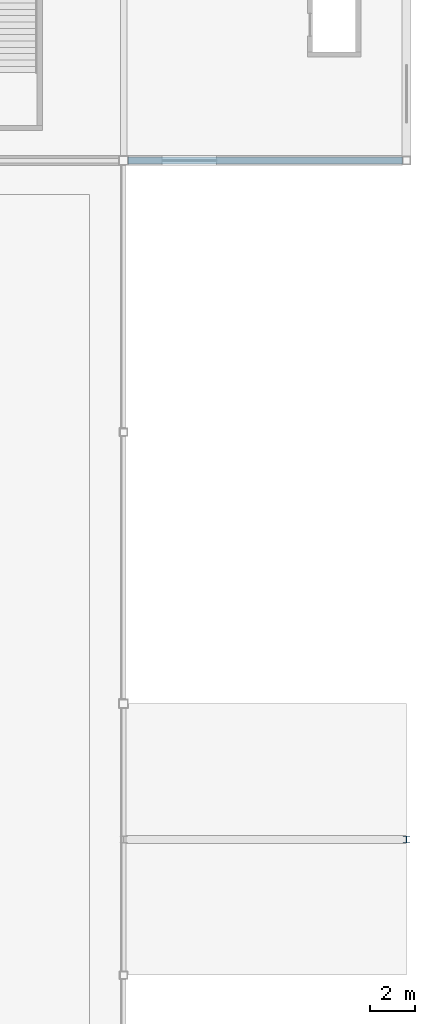
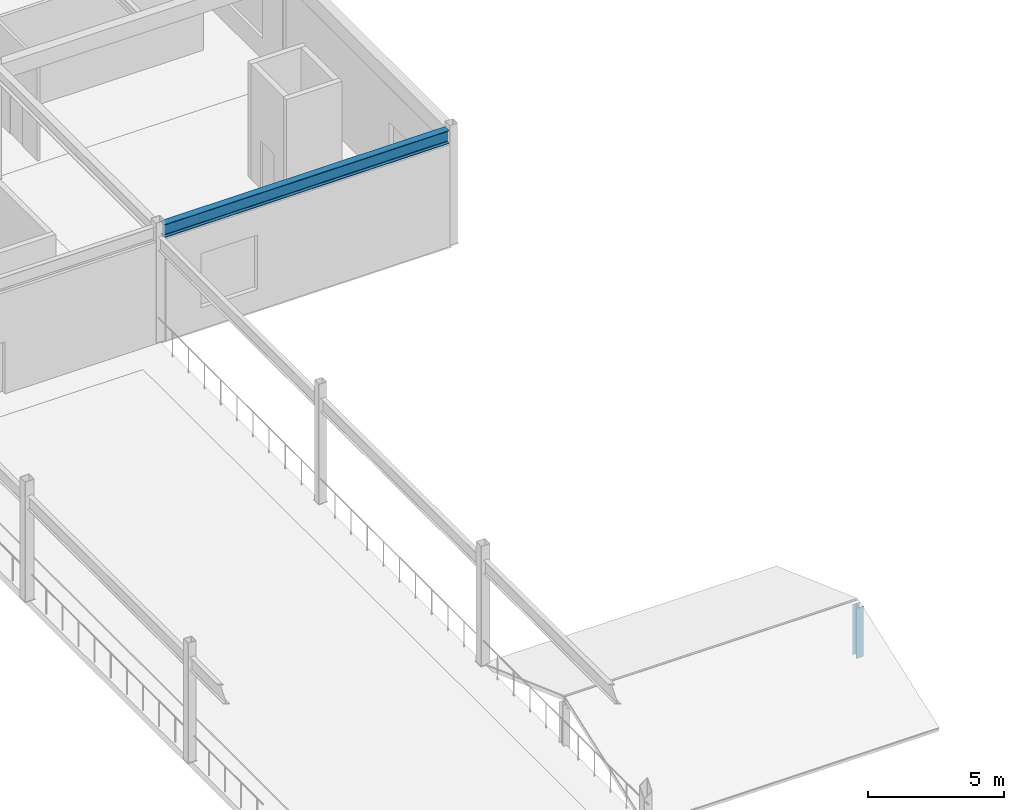
# One storey, part 49 of 105: 1 beam, 1 member.
"""IFC4 building model written with IfcOpenShell, lengths in metres."""

from ifc_helpers import new_model, si_unit, direction, frame, origin, origin_2d, place, context, subcontext, project, spatial, i_section, extrude, material, material_profile, profile_set, type_object, element, save


model = new_model("IFC4")

# Units and contexts
model_context = context("Model", 3, precision=1e-05, world=origin(), true_north=direction((0.0, 1.0)))
body_context = subcontext(model_context, "Body", "Model", "MODEL_VIEW")
ifc_project = project(units=[si_unit("LENGTHUNIT", "METRE"), si_unit("AREAUNIT", "SQUARE_METRE"), si_unit("VOLUMEUNIT", "CUBIC_METRE"), si_unit("PLANEANGLEUNIT", "RADIAN"), si_unit("MASSUNIT", "GRAM", prefix="KILO")], contexts=[model_context])

# Site, building, storey
site_placement = place(None, origin())
site = spatial("IfcSite", under=ifc_project, at=site_placement, CompositionType="ELEMENT")
building_placement = place(site_placement, origin())
building = spatial("IfcBuilding", under=site, at=building_placement, Name="Kazenohara Klinker Stadium", CompositionType="ELEMENT")
storey_placement = place(building_placement, frame((0.0, 0.0, 20.39990234375)))
storey = spatial("IfcBuildingStorey", under=building, at=storey_placement, Name="L04", CompositionType="ELEMENT", Elevation=20.39990234375)

# Beam
ifc_material = material(Name="Steel S355", Category="steel")
ifc_material_profile_1 = material_profile(ifc_material, i_section(OverallWidth=0.300048828125, OverallDepth=0.587890625, WebThickness=0.011962890625, FlangeThickness=0.02001953125, FilletRadius=0.02197265625, at=origin_2d()), Name="H-588x300x12x20")
ifc_profile_set_1 = profile_set([ifc_material_profile_1], Name="Steel S355")
beam_type = type_object("IfcBeamType", Name="BM-ST05", PredefinedType="BEAM", material=ifc_profile_set_1)
beam_placement = place(storey_placement, frame((187.699951171875, 132.0, 4.885986328125), z_axis=(1.0, 0.0, 0.0), x_axis=(0.0, 1.0, 0.0)))
element("IfcBeam", 1, at=beam_placement, inside=storey, type_object=beam_type, Name="Primary girder SB05 L04 16-17/M", PredefinedType="BEAM", context=body_context, shape_type="SweptSolid", body=[
    extrude(i_section(OverallWidth=0.300048828125, OverallDepth=0.587890625, WebThickness=0.011962890625, FlangeThickness=0.02001953125, FilletRadius=0.02197265625, at=origin_2d()), origin(), (0.0, 0.0, 1.0), 12.125),
])

# Member
ifc_material_profile_2 = material_profile(ifc_material, i_section(OverallWidth=0.300048828125, OverallDepth=0.300048828125, WebThickness=0.010009765625, FlangeThickness=0.014892578125, FilletRadius=0.012939453125, at=origin_2d()), Name="H-300x300x10x15")
ifc_profile_set_2 = profile_set([ifc_material_profile_2], Name="Steel S355")
member_type = type_object("IfcMemberType", Name="MEM-STR01", PredefinedType="STRUT", material=ifc_profile_set_2)
member_placement = place(storey_placement, frame((200.0, 102.0, -0.429931640625), z_axis=(0.0, 0.0, 1.0), x_axis=(1.0, 0.0, 0.0)))
element("IfcMember", 2, at=member_placement, inside=storey, type_object=member_type, Name="Stepped pavilion gable king-post L04 16/J E", PredefinedType="STRUT", context=body_context, shape_type="SweptSolid", body=[
    extrude(i_section(OverallWidth=0.300048828125, OverallDepth=0.300048828125, WebThickness=0.010009765625, FlangeThickness=0.014892578125, FilletRadius=0.012939453125, at=origin_2d()), origin(), (0.0, 0.0, 1.0), 2.260009765625),
])

save(model, "model.ifc")
